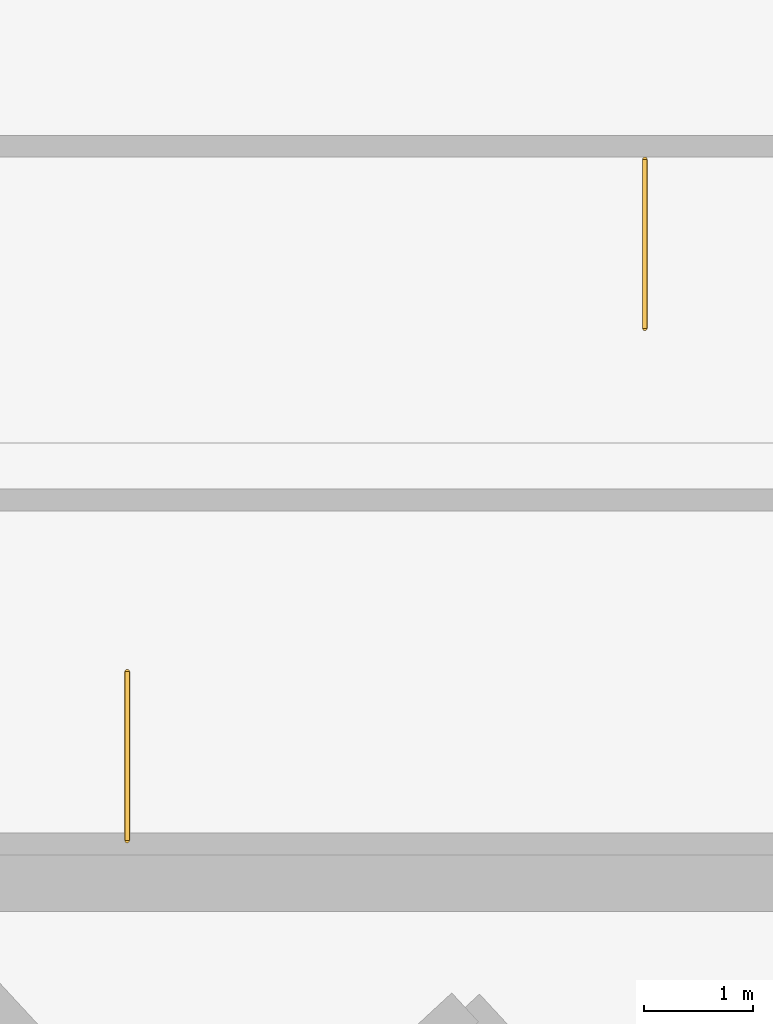
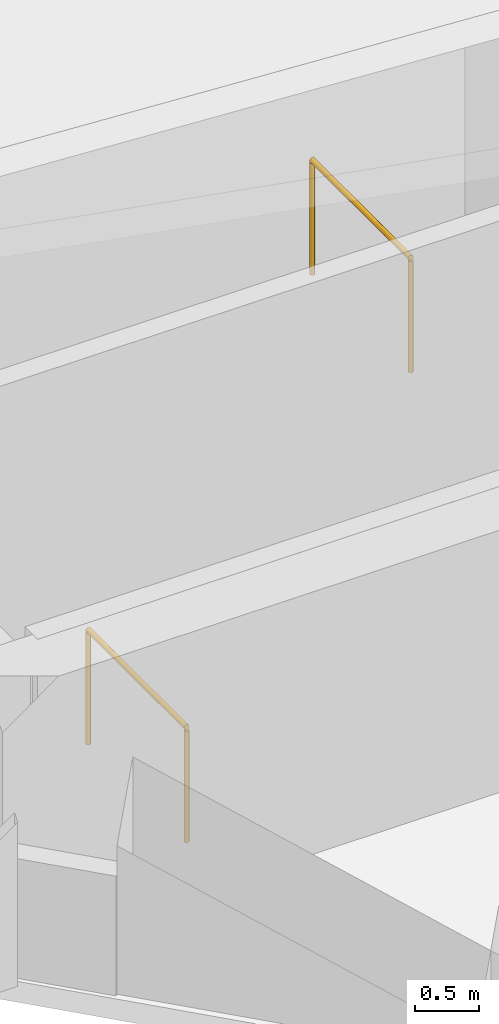
# One storey, part 3 of 3: 2 railings.
"""IFC4 building model written with IfcOpenShell, lengths in metres."""

from ifc_helpers import new_model, si_unit, direction, frame, origin, origin_2d, place, context, subcontext, project, spatial, circle, extrude, material, type_object, element, save


model = new_model("IFC4")

# Units and contexts
model_context = context("Model", 3, precision=1e-05, world=origin(), true_north=direction((0.0, 1.0)))
body_context = subcontext(model_context, "Body", "Model", "MODEL_VIEW")
ifc_project = project(units=[si_unit("LENGTHUNIT", "METRE"), si_unit("AREAUNIT", "SQUARE_METRE"), si_unit("VOLUMEUNIT", "CUBIC_METRE"), si_unit("PLANEANGLEUNIT", "RADIAN"), si_unit("MASSUNIT", "GRAM", prefix="KILO")], contexts=[model_context])

# Site, building, storey
site_placement = place(None, origin())
site = spatial("IfcSite", under=ifc_project, at=site_placement, CompositionType="ELEMENT")
building_placement = place(site_placement, origin())
building = spatial("IfcBuilding", under=site, at=building_placement, Name="Narakoshi Arena Tower", CompositionType="ELEMENT")
storey_placement = place(building_placement, frame((0.0, 0.0, 317.3798828125)))
storey = spatial("IfcBuildingStorey", under=building, at=storey_placement, Name="L85", CompositionType="ELEMENT", Elevation=317.3798828125)

# Railings
ifc_material = material(Name="Clear low-iron laminated structural glass", Category="glass")
railing_type = type_object("IfcRailingType", Name="RL-BAL-1100", PredefinedType="BALUSTRADE", material=ifc_material)
railing_1_placement = place(storey_placement, frame((74.35009765625, 35.550048828125, 0.0)))
element("IfcRailing", 1, at=railing_1_placement, inside=storey, type_object=railing_type, Name="L85 ST1 top well guard 1", PredefinedType="BALUSTRADE", context=body_context, shape_type="SweptSolid", body=[
    extrude(circle(Radius=0.02392578125, at=origin_2d()), frame((0.0, 0.0, 1.09619140625), z_axis=(0.0, 1.0, 0.0), x_axis=(-1.0, 0.0, 0.0)), (0.0, 0.0, 1.0), 1.550048828125),
    extrude(circle(Radius=0.02099609375, at=origin_2d()), origin(), (0.0, 0.0, 1.0), 1.072021484375),
    extrude(circle(Radius=0.02099609375, at=origin_2d()), frame((0.0, 1.550048828125, 0.0)), (0.0, 0.0, 1.0), 1.072021484375),
])
railing_2_placement = place(storey_placement, frame((79.10009765625, 41.800048828125, 0.0)))
element("IfcRailing", 2, at=railing_2_placement, inside=storey, type_object=railing_type, Name="L85 ST2 top well guard 1", PredefinedType="BALUSTRADE", context=body_context, shape_type="SweptSolid", body=[
    extrude(circle(Radius=0.02392578125, at=origin_2d()), frame((0.0, 0.0, 1.09619140625), z_axis=(0.0, -1.0, 0.0), x_axis=(1.0, 0.0, 0.0)), (0.0, 0.0, 1.0), 1.550048828125),
    extrude(circle(Radius=0.02099609375, at=origin_2d()), origin(), (0.0, 0.0, 1.0), 1.072021484375),
    extrude(circle(Radius=0.02099609375, at=origin_2d()), frame((0.0, -1.550048828125, 0.0)), (0.0, 0.0, 1.0), 1.072021484375),
])

save(model, "model.ifc")
